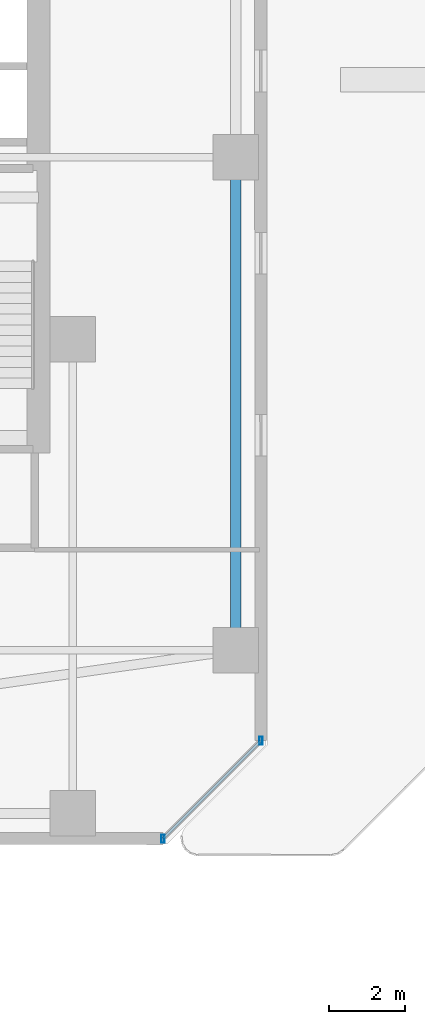
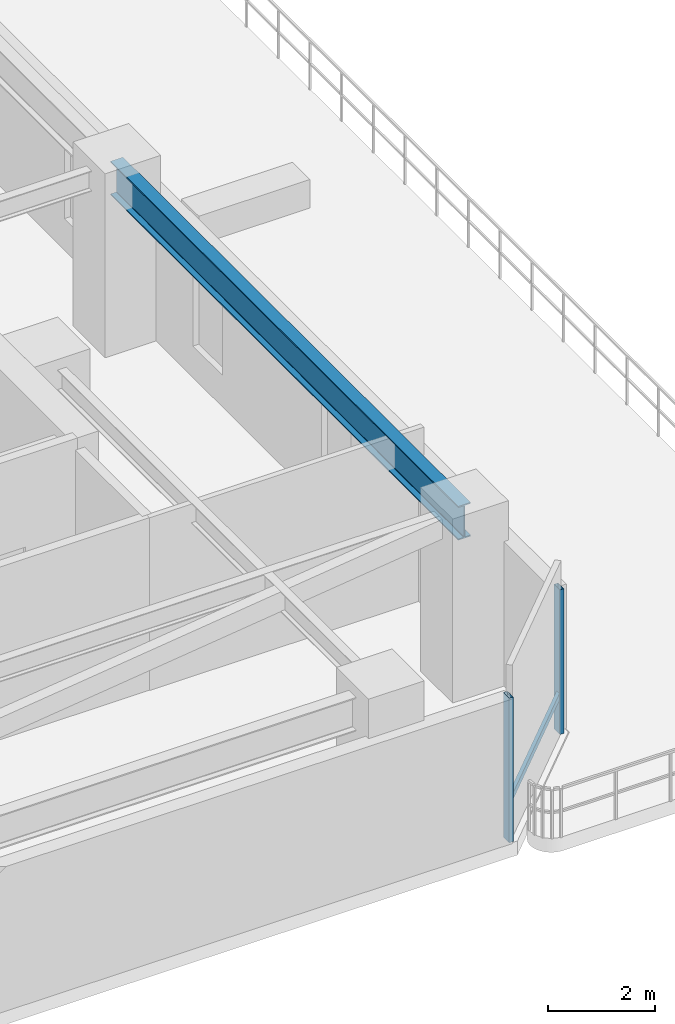
# One storey, part 12 of 30: 3 members, 1 beam, 1 element without a shape of its own.
"""IFC4 building model written with IfcOpenShell, lengths in metres."""

from ifc_helpers import new_model, si_unit, direction, frame, origin, origin_2d, place, context, subcontext, project, spatial, hollow_rectangle, i_section, extrude, material, material_profile, profile_set, type_object, element, aggregate, save


model = new_model("IFC4")

# Units and contexts
model_context = context("Model", 3, precision=1e-05, world=origin(), true_north=direction((0.0, 1.0)))
body_context = subcontext(model_context, "Body", "Model", "MODEL_VIEW")
ifc_project = project(units=[si_unit("LENGTHUNIT", "METRE"), si_unit("AREAUNIT", "SQUARE_METRE"), si_unit("VOLUMEUNIT", "CUBIC_METRE"), si_unit("PLANEANGLEUNIT", "RADIAN"), si_unit("MASSUNIT", "GRAM", prefix="KILO")], contexts=[model_context])

# Site, building, storey
site_placement = place(None, origin())
site = spatial("IfcSite", under=ifc_project, at=site_placement, CompositionType="ELEMENT")
building_placement = place(site_placement, origin())
building = spatial("IfcBuilding", under=site, at=building_placement, Name="Thornwick Lancets Civic Towers", CompositionType="ELEMENT")
storey_placement = place(building_placement, frame((0.0, 0.0, 75.89990234375)))
storey = spatial("IfcBuildingStorey", under=building, at=storey_placement, Name="L19", CompositionType="ELEMENT", Elevation=75.89990234375)

# Beam
ifc_material_1 = material(Name="Steel S355JR", Category="steel")
ifc_material_profile_1 = material_profile(ifc_material_1, i_section(OverallWidth=0.26806640625, OverallDepth=0.769775390625, WebThickness=0.015625, FlangeThickness=0.025390625, FilletRadius=0.0166015625, at=origin_2d()), Name="UKB 762x267x197")
ifc_profile_set_1 = profile_set([ifc_material_profile_1], Name="Steel S355JR")
beam_type = type_object("IfcBeamType", Name="BM_GIRD_762_197", PredefinedType="BEAM", material=ifc_profile_set_1)
beam_placement = place(storey_placement, frame((105.800048828125, 14.0, 3.5751953125), z_axis=(0.0, 1.0, 0.0), x_axis=(-1.0, 0.0, 0.0)))
element("IfcBeam", 1, at=beam_placement, inside=storey, type_object=beam_type, Name="BM-SPINE-L19-B-0-1", PredefinedType="BEAM", context=body_context, shape_type="SweptSolid", body=[
    extrude(i_section(OverallWidth=0.26806640625, OverallDepth=0.769775390625, WebThickness=0.015625, FlangeThickness=0.025390625, FilletRadius=0.0166015625, at=origin_2d()), origin(), (0.0, 0.0, 1.0), 13.0),
])

# Curtain wall, members
ifc_material_2 = material(Name="Low-zone chamfered-corner unitised glass curtain wall", Category="glass")
curtain_wall_type = type_object("IfcCurtainWallType", Name="CW_SYS_03", PredefinedType="NOTDEFINED", material=ifc_material_2)
curtain_wall_placement = place(storey_placement, origin())
curtain_wall = element("IfcCurtainWall", 2, at=curtain_wall_placement, inside=storey, type_object=curtain_wall_type, Name="L19 Curtain Wall CW-L19-B-E1", PredefinedType="NOTDEFINED")
ifc_material_3 = material(Name="Thermally broken bronze aluminium S355", Category="steel")
ifc_material_profile_2 = material_profile(ifc_material_3, hollow_rectangle(XDim=0.090087890625, YDim=0.219970703125, WallThickness=0.00634765625, at=origin_2d()), Name="RHS 220x90x6.3")
ifc_profile_set_2 = profile_set([ifc_material_profile_2], Name="Thermally broken bronze aluminium S355")
member_type_1 = type_object("IfcMemberType", Name="CW_MUL_220", PredefinedType="MULLION", material=ifc_profile_set_2)
member_1_placement = place(storey_placement, frame((103.88134765625, 9.035400390625, 0.0), z_axis=(0.0, 0.0, 1.0), x_axis=(1.0, 0.0, 0.0)))
member_1 = element("IfcMember", 3, at=member_1_placement, type_object=member_type_1, Name="CW-L19-B-E1 Mullion 0", PredefinedType="MULLION", context=body_context, shape_type="SweptSolid", body=[
    extrude(hollow_rectangle(XDim=0.090087890625, YDim=0.219970703125, WallThickness=0.00634765625, at=origin_2d()), origin(), (0.0, 0.0, 1.0), 3.300048828125),
])
member_2_placement = place(storey_placement, frame((106.464599609375, 11.61865234375, 0.0), z_axis=(0.0, 0.0, 1.0), x_axis=(1.0, 0.0, 0.0)))
member_2 = element("IfcMember", 4, at=member_2_placement, type_object=member_type_1, Name="CW-L19-B-E1 Mullion 1", PredefinedType="MULLION", context=body_context, shape_type="SweptSolid", body=[
    extrude(hollow_rectangle(XDim=0.090087890625, YDim=0.219970703125, WallThickness=0.00634765625, at=origin_2d()), origin(), (0.0, 0.0, 1.0), 3.300048828125),
])
ifc_material_profile_3 = material_profile(ifc_material_3, hollow_rectangle(XDim=0.074951171875, YDim=0.14990234375, WallThickness=0.0048828125, at=origin_2d()), Name="RHS 150x75x5")
ifc_profile_set_3 = profile_set([ifc_material_profile_3], Name="Thermally broken bronze aluminium S355")
member_type_2 = type_object("IfcMemberType", Name="CW_TRN_150", PredefinedType="USERDEFINED", material=ifc_profile_set_3)
member_3_placement = place(storey_placement, frame((103.8955078125, 9.04931640625, 0.85009765625), z_axis=(0.707106781187, 0.707106781187, 0.0), x_axis=(-0.707106781187, 0.707106781187, 0.0)))
member_3 = element("IfcMember", 5, at=member_3_placement, type_object=member_type_2, Name="CW-L19-B-E1 Transom 0", ObjectType="TRANSOM", PredefinedType="USERDEFINED", context=body_context, shape_type="SweptSolid", body=[
    extrude(hollow_rectangle(XDim=0.074951171875, YDim=0.14990234375, WallThickness=0.0048828125, at=origin_2d()), origin(), (0.0, 0.0, 1.0), 3.613525390625),
])
aggregate(curtain_wall, [member_1, member_2, member_3])

save(model, "model.ifc")
